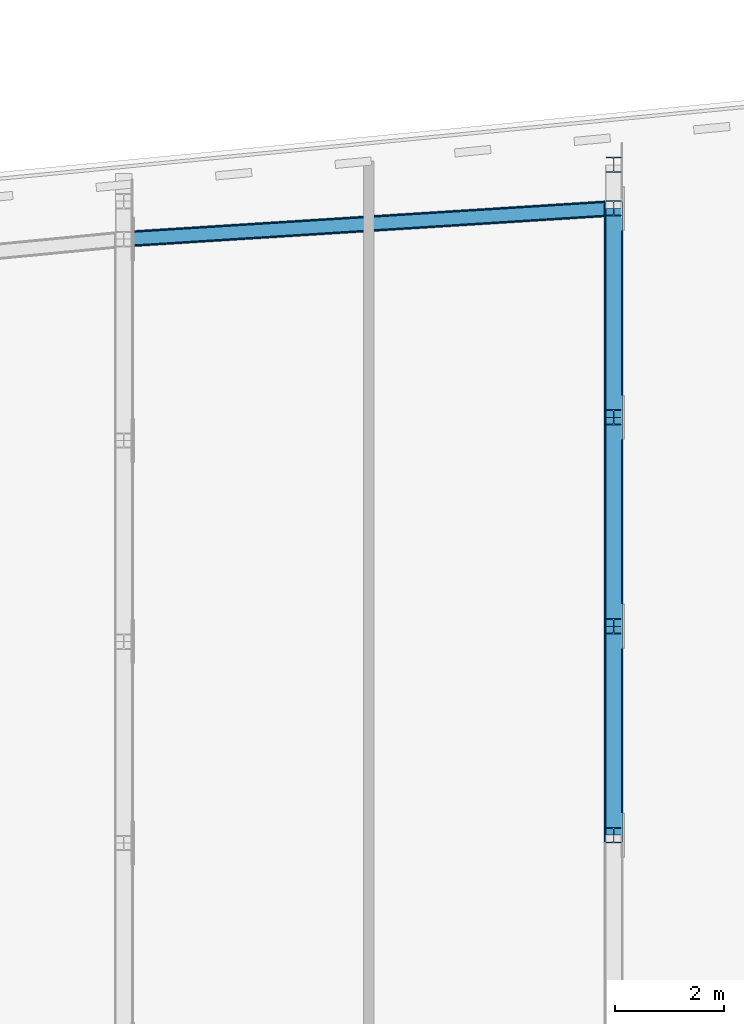
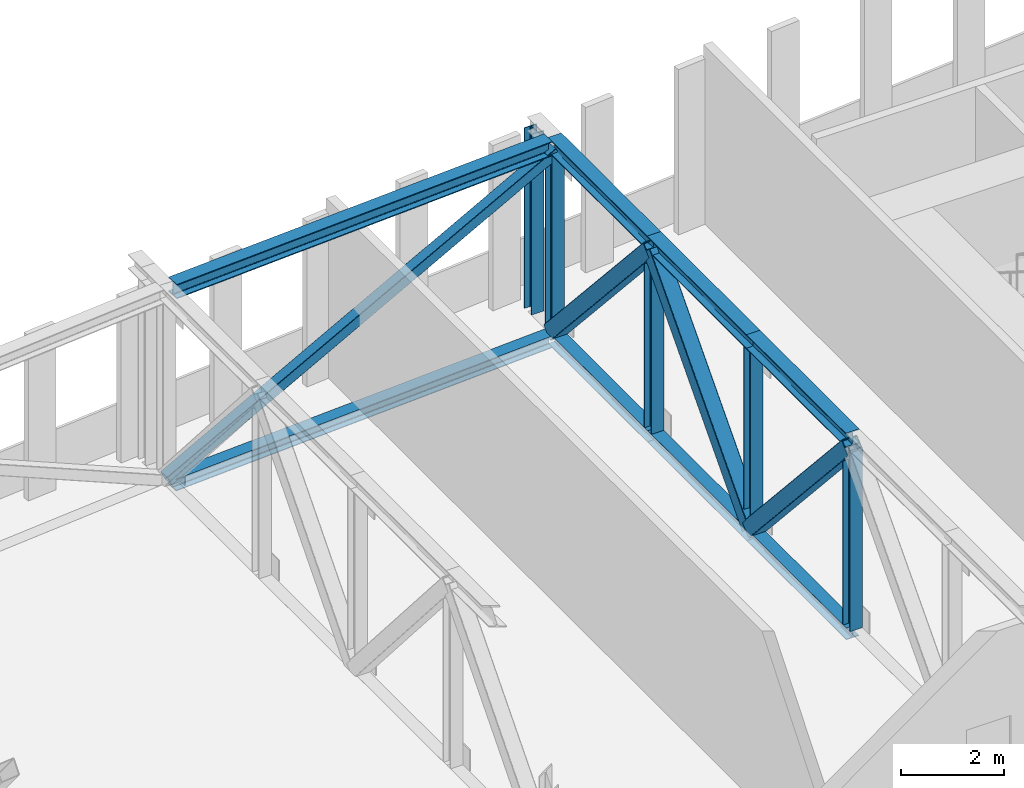
# One storey, part 5 of 26: 17 members.
"""IFC4 building model written with IfcOpenShell, lengths in metres."""

from ifc_helpers import new_model, si_unit, direction, frame, origin, origin_2d, place, context, subcontext, project, spatial, hollow_rectangle, i_section, extrude, material, material_profile, profile_set, type_object, element, save


model = new_model("IFC4")

# Units and contexts
model_context = context("Model", 3, precision=1e-05, world=origin(), true_north=direction((0.0, 1.0)))
body_context = subcontext(model_context, "Body", "Model", "MODEL_VIEW")
ifc_project = project(units=[si_unit("LENGTHUNIT", "METRE"), si_unit("AREAUNIT", "SQUARE_METRE"), si_unit("VOLUMEUNIT", "CUBIC_METRE"), si_unit("PLANEANGLEUNIT", "RADIAN"), si_unit("MASSUNIT", "GRAM", prefix="KILO")], contexts=[model_context])

# Site, building, storey
site_placement = place(None, origin())
site = spatial("IfcSite", under=ifc_project, at=site_placement, CompositionType="ELEMENT")
building_placement = place(site_placement, origin())
building = spatial("IfcBuilding", under=site, at=building_placement, Name="Kajstack Hotel Tower", CompositionType="ELEMENT")
storey_placement = place(building_placement, frame((0.0, 0.0, 206.5)))
storey = spatial("IfcBuildingStorey", under=building, at=storey_placement, Name="L50", CompositionType="ELEMENT", Elevation=206.5)

# Members
ifc_material = material(Name="Steel S355J2", Category="steel")
ifc_material_profile_1 = material_profile(ifc_material, i_section(OverallWidth=0.280029296875, OverallDepth=0.280029296875, WebThickness=0.010498046875, FlangeThickness=0.01806640625, FilletRadius=0.02392578125, at=origin_2d()), Name="HEB 280")
ifc_profile_set_1 = profile_set([ifc_material_profile_1], Name="Steel S355J2")
member_type_1 = type_object("IfcMemberType", Name="Belt truss bottom chord BB4 HEB 280", PredefinedType="CHORD", material=ifc_profile_set_1)
member_1_placement = place(storey_placement, frame((0.1396484375, 19.29833984375, -0.139892578125), z_axis=(0.998011487206, 0.063032304455, 0.0), x_axis=(-0.063032304455, 0.998011487206, 0.0)))
element("IfcMember", 1, at=member_1_placement, inside=storey, type_object=member_type_1, Name="S-belt-truss-L50-n05-b", PredefinedType="CHORD", context=body_context, shape_type="SweptSolid", body=[
    extrude(i_section(OverallWidth=0.280029296875, OverallDepth=0.280029296875, WebThickness=0.010498046875, FlangeThickness=0.01806640625, FilletRadius=0.02392578125, at=origin_2d()), origin(), (0.0, 0.0, 1.0), 8.738037109375),
])
ifc_material_profile_2 = material_profile(ifc_material, i_section(OverallWidth=0.280029296875, OverallDepth=0.280029296875, WebThickness=0.010498046875, FlangeThickness=0.01806640625, FilletRadius=0.02392578125, at=origin_2d()), Name="HEB 280")
ifc_profile_set_2 = profile_set([ifc_material_profile_2], Name="Steel S355J2")
member_type_2 = type_object("IfcMemberType", Name="Belt truss bottom chord BC4 HEB 280", PredefinedType="CHORD", material=ifc_profile_set_2)
member_2_placement = place(storey_placement, frame((9.0, 8.33935546875, -0.139892578125), z_axis=(0.0, 1.0, 0.0), x_axis=(-1.0, 0.0, 0.0)))
element("IfcMember", 2, at=member_2_placement, inside=storey, type_object=member_type_2, Name="S-belt-truss-L50-+9p0-1-bc19", PredefinedType="CHORD", context=body_context, shape_type="SweptSolid", body=[
    extrude(i_section(OverallWidth=0.280029296875, OverallDepth=0.280029296875, WebThickness=0.010498046875, FlangeThickness=0.01806640625, FilletRadius=0.02392578125, at=origin_2d()), origin(), (0.0, 0.0, 1.0), 3.839599609375),
])
member_3_placement = place(storey_placement, frame((9.0, 12.178955078125, -0.139892578125), z_axis=(0.0, 1.0, 0.0), x_axis=(-1.0, 0.0, 0.0)))
element("IfcMember", 3, at=member_3_placement, inside=storey, type_object=member_type_2, Name="S-belt-truss-L50-+9p0-1-bc20", PredefinedType="CHORD", context=body_context, shape_type="SweptSolid", body=[
    extrude(i_section(OverallWidth=0.280029296875, OverallDepth=0.280029296875, WebThickness=0.010498046875, FlangeThickness=0.01806640625, FilletRadius=0.02392578125, at=origin_2d()), origin(), (0.0, 0.0, 1.0), 3.83935546875),
])
member_4_placement = place(storey_placement, frame((9.0, 16.018310546875, -0.139892578125), z_axis=(0.0, 1.0, 0.0), x_axis=(-1.0, 0.0, 0.0)))
element("IfcMember", 4, at=member_4_placement, inside=storey, type_object=member_type_2, Name="S-belt-truss-L50-+9p0-1-bc21", PredefinedType="CHORD", context=body_context, shape_type="SweptSolid", body=[
    extrude(i_section(OverallWidth=0.280029296875, OverallDepth=0.280029296875, WebThickness=0.010498046875, FlangeThickness=0.01806640625, FilletRadius=0.02392578125, at=origin_2d()), origin(), (0.0, 0.0, 1.0), 3.839599609375),
])
ifc_material_profile_3 = material_profile(ifc_material, hollow_rectangle(XDim=0.25, YDim=0.25, WallThickness=0.012451171875, InnerFilletRadius=0.012451171875, OuterFilletRadius=0.018798828125, at=origin_2d()), Name="SHS 250x250x12.5")
ifc_profile_set_3 = profile_set([ifc_material_profile_3], Name="Steel S355J2")
member_type_3 = type_object("IfcMemberType", Name="Belt truss diagonal BD4 SHS 250x250x12.5", PredefinedType="BRACE", material=ifc_profile_set_3)
member_5_placement = place(storey_placement, frame((0.0, 19.28955078125, 0.0), z_axis=(0.902391276568, 0.056986949106, 0.427132850066), x_axis=(-0.063025492182, 0.998011917431, 0.0)))
element("IfcMember", 5, at=member_5_placement, inside=storey, type_object=member_type_3, Name="S-belt-truss-L50-n05-d", PredefinedType="BRACE", context=body_context, shape_type="SweptSolid", body=[
    extrude(hollow_rectangle(XDim=0.25, YDim=0.25, WallThickness=0.012451171875, InnerFilletRadius=0.012451171875, OuterFilletRadius=0.018798828125, at=origin_2d()), origin(), (0.0, 0.0, 1.0), 9.973388671875),
])
ifc_material_profile_4 = material_profile(ifc_material, hollow_rectangle(XDim=0.35009765625, YDim=0.35009765625, WallThickness=0.01611328125, InnerFilletRadius=0.01611328125, OuterFilletRadius=0.02392578125, at=origin_2d()), Name="SHS 350x350x16")
ifc_profile_set_4 = profile_set([ifc_material_profile_4], Name="Steel S355J2")
member_type_4 = type_object("IfcMemberType", Name="Belt truss diagonal DG4 SHS 350x350x16", PredefinedType="BRACE", material=ifc_profile_set_4)
member_6_placement = place(storey_placement, frame((9.0, 12.178955078125, 0.0), z_axis=(0.0, -0.669503152649, 0.742809214127), x_axis=(1.0, 0.0, 0.0)))
element("IfcMember", 6, at=member_6_placement, inside=storey, type_object=member_type_4, Name="S-belt-truss-L50-+9p0-1-dg40", PredefinedType="BRACE", context=body_context, shape_type="SweptSolid", body=[
    extrude(hollow_rectangle(XDim=0.35009765625, YDim=0.35009765625, WallThickness=0.01611328125, InnerFilletRadius=0.01611328125, OuterFilletRadius=0.02392578125, at=origin_2d()), origin(), (0.0, 0.0, 1.0), 5.735107421875),
])
member_7_placement = place(storey_placement, frame((9.0, 12.178955078125, 0.0), z_axis=(0.0, 0.66947966282, 0.742830385129), x_axis=(-1.0, 0.0, 0.0)))
element("IfcMember", 7, at=member_7_placement, inside=storey, type_object=member_type_4, Name="S-belt-truss-L50-+9p0-1-dg41", PredefinedType="BRACE", context=body_context, shape_type="SweptSolid", body=[
    extrude(hollow_rectangle(XDim=0.35009765625, YDim=0.35009765625, WallThickness=0.01611328125, InnerFilletRadius=0.01611328125, OuterFilletRadius=0.02392578125, at=origin_2d()), origin(), (0.0, 0.0, 1.0), 5.73486328125),
])
member_8_placement = place(storey_placement, frame((9.0, 19.85791015625, 0.0), z_axis=(0.0, -0.669503152649, 0.742809214127), x_axis=(1.0, 0.0, 0.0)))
element("IfcMember", 8, at=member_8_placement, inside=storey, type_object=member_type_4, Name="S-belt-truss-L50-+9p0-1-dg42", PredefinedType="BRACE", context=body_context, shape_type="SweptSolid", body=[
    extrude(hollow_rectangle(XDim=0.35009765625, YDim=0.35009765625, WallThickness=0.01611328125, InnerFilletRadius=0.01611328125, OuterFilletRadius=0.02392578125, at=origin_2d()), origin(), (0.0, 0.0, 1.0), 5.735107421875),
])
ifc_material_profile_5 = material_profile(ifc_material, i_section(OverallWidth=0.280029296875, OverallDepth=0.280029296875, WebThickness=0.010498046875, FlangeThickness=0.01806640625, FilletRadius=0.02392578125, at=origin_2d()), Name="HEB 280")
ifc_profile_set_5 = profile_set([ifc_material_profile_5], Name="Steel S355J2")
member_type_5 = type_object("IfcMemberType", Name="Belt truss post PO4 HEB 280", PredefinedType="POST", material=ifc_profile_set_5)
for number, where, z_axis, x_axis, name in (
    (9, (9.0, 8.33935546875, 0.0), (0.0, 0.0, 1.0), (1.0, 0.0, 0.0), "S-belt-truss-L50-+9p0-1-po30"),
    (10, (9.0, 12.178955078125, 0.0), (0.0, 0.0, 1.0), (1.0, 0.0, 0.0), "S-belt-truss-L50-+9p0-1-po31"),
    (11, (9.0, 16.018310546875, 0.0), (0.0, 0.0, 1.0), (1.0, 0.0, 0.0), "S-belt-truss-L50-+9p0-1-po32"),
    (12, (9.0, 19.85791015625, 0.0), (0.0, 0.0, 1.0), (1.0, 0.0, 0.0), "S-belt-truss-L50-+9p0-1-po33"),
    (13, (9.0, 20.65771484375, 0.0), (0.0, 0.0, 1.0), (1.0, 0.0, 0.0), "S-belt-truss-L50-+9p0-1-po34"),
):
    element("IfcMember", number, at=place(storey_placement, frame(where, z_axis=z_axis, x_axis=x_axis)), inside=storey, type_object=member_type_5, Name=name, PredefinedType="POST", context=body_context, shape_type="SweptSolid", body=[
        extrude(i_section(OverallWidth=0.280029296875, OverallDepth=0.280029296875, WebThickness=0.010498046875, FlangeThickness=0.01806640625, FilletRadius=0.02392578125, at=origin_2d()), origin(), (0.0, 0.0, 1.0), 4.260009765625),
    ])
ifc_material_profile_6 = material_profile(ifc_material, i_section(OverallWidth=0.300048828125, OverallDepth=0.340087890625, WebThickness=0.011962890625, FlangeThickness=0.021484375, FilletRadius=0.027099609375, at=origin_2d()), Name="HEB 340")
ifc_profile_set_6 = profile_set([ifc_material_profile_6], Name="Steel S355J2")
member_type_6 = type_object("IfcMemberType", Name="Belt truss top chord BT4 HEB 340", PredefinedType="CHORD", material=ifc_profile_set_6)
member_9_placement = place(storey_placement, frame((0.149658203125, 19.299072265625, 4.429931640625), z_axis=(0.998012933357, 0.063009402886, 0.0), x_axis=(-0.063009402886, 0.998012933357, 0.0)))
element("IfcMember", 14, at=member_9_placement, inside=storey, type_object=member_type_6, Name="S-belt-truss-L50-n05-t", PredefinedType="CHORD", context=body_context, shape_type="SweptSolid", body=[
    extrude(i_section(OverallWidth=0.300048828125, OverallDepth=0.340087890625, WebThickness=0.011962890625, FlangeThickness=0.021484375, FilletRadius=0.027099609375, at=origin_2d()), origin(), (0.0, 0.0, 1.0), 8.718017578125),
])
ifc_material_profile_7 = material_profile(ifc_material, i_section(OverallWidth=0.300048828125, OverallDepth=0.340087890625, WebThickness=0.011962890625, FlangeThickness=0.021484375, FilletRadius=0.027099609375, at=origin_2d()), Name="HEB 340")
ifc_profile_set_7 = profile_set([ifc_material_profile_7], Name="Steel S355J2")
member_type_7 = type_object("IfcMemberType", Name="Belt truss top chord TC4 HEB 340", PredefinedType="CHORD", material=ifc_profile_set_7)
member_10_placement = place(storey_placement, frame((9.0, 8.33935546875, 4.429931640625), z_axis=(0.0, 1.0, 0.0), x_axis=(-1.0, 0.0, 0.0)))
element("IfcMember", 15, at=member_10_placement, inside=storey, type_object=member_type_7, Name="S-belt-truss-L50-+9p0-1-tc8", PredefinedType="CHORD", context=body_context, shape_type="SweptSolid", body=[
    extrude(i_section(OverallWidth=0.300048828125, OverallDepth=0.340087890625, WebThickness=0.011962890625, FlangeThickness=0.021484375, FilletRadius=0.027099609375, at=origin_2d()), origin(), (0.0, 0.0, 1.0), 3.839599609375),
])
member_11_placement = place(storey_placement, frame((9.0, 12.178955078125, 4.429931640625), z_axis=(0.0, 1.0, 0.0), x_axis=(-1.0, 0.0, 0.0)))
element("IfcMember", 16, at=member_11_placement, inside=storey, type_object=member_type_7, Name="S-belt-truss-L50-+9p0-1-tc9", PredefinedType="CHORD", context=body_context, shape_type="SweptSolid", body=[
    extrude(i_section(OverallWidth=0.300048828125, OverallDepth=0.340087890625, WebThickness=0.011962890625, FlangeThickness=0.021484375, FilletRadius=0.027099609375, at=origin_2d()), origin(), (0.0, 0.0, 1.0), 3.83935546875),
])
member_12_placement = place(storey_placement, frame((9.0, 16.018310546875, 4.429931640625), z_axis=(0.0, 1.0, 0.0), x_axis=(-1.0, 0.0, 0.0)))
element("IfcMember", 17, at=member_12_placement, inside=storey, type_object=member_type_7, Name="S-belt-truss-L50-+9p0-1-tc10", PredefinedType="CHORD", context=body_context, shape_type="SweptSolid", body=[
    extrude(i_section(OverallWidth=0.300048828125, OverallDepth=0.340087890625, WebThickness=0.011962890625, FlangeThickness=0.021484375, FilletRadius=0.027099609375, at=origin_2d()), origin(), (0.0, 0.0, 1.0), 3.839599609375),
])

save(model, "model.ifc")
